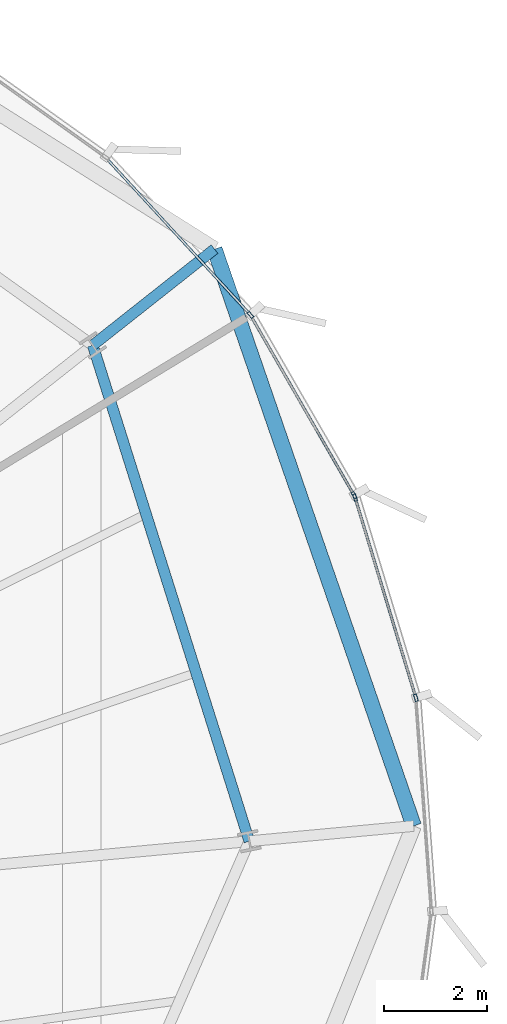
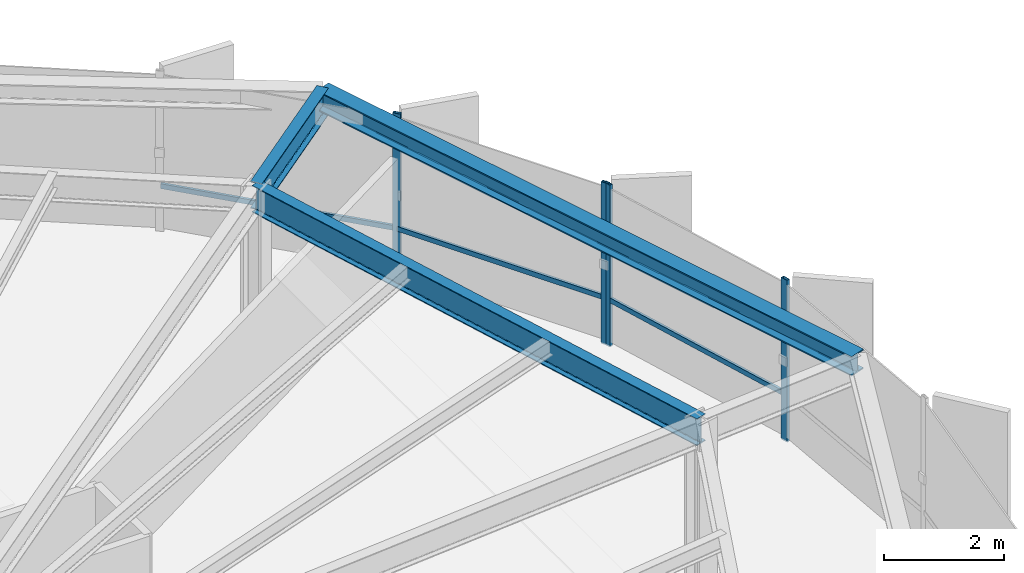
# One storey, part 24 of 34: 7 members, 3 beams, 2 elements without a shape of their own.
"""IFC4 building model written with IfcOpenShell, lengths in metres."""

from ifc_helpers import new_model, si_unit, direction, frame, origin, origin_2d, place, context, subcontext, project, spatial, hollow_rectangle, i_section, extrude, source, transform, mapped, material, layer, layer_set, material_profile, profile_set, type_object, element, aggregate, save


model = new_model("IFC4")

# Units and contexts
model_context = context("Model", 3, precision=1e-05, world=origin(), true_north=direction((0.0, 1.0)))
body_context = subcontext(model_context, "Body", "Model", "MODEL_VIEW")
ifc_project = project(units=[si_unit("LENGTHUNIT", "METRE"), si_unit("AREAUNIT", "SQUARE_METRE"), si_unit("VOLUMEUNIT", "CUBIC_METRE"), si_unit("PLANEANGLEUNIT", "RADIAN"), si_unit("MASSUNIT", "GRAM", prefix="KILO"), si_unit("THERMODYNAMICTEMPERATUREUNIT", "KELVIN")], contexts=[model_context])

# Site, building, storey
site_placement = place(None, origin())
site = spatial("IfcSite", under=ifc_project, at=site_placement, CompositionType="ELEMENT")
building_placement = place(site_placement, origin())
building = spatial("IfcBuilding", under=site, at=building_placement, Name="Kethvar Cultural Tower", CompositionType="ELEMENT")
storey_placement = place(building_placement, frame((0.0, 0.0, 128.800048828125)))
storey = spatial("IfcBuildingStorey", under=building, at=storey_placement, Name="L32", CompositionType="ELEMENT", Elevation=128.800048828125)

# Beams
ifc_material_1 = material(Name="Steel S355J2", Category="steel")
ifc_material_profile_1 = material_profile(ifc_material_1, i_section(OverallWidth=0.2099609375, OverallDepth=0.550048828125, WebThickness=0.010986328125, FlangeThickness=0.01708984375, FilletRadius=0.02392578125, at=origin_2d()), Name="Steel S355J2 — IPE550")
ifc_profile_set_1 = profile_set([ifc_material_profile_1], Name="Steel S355J2 — IPE550")
beam_type_1 = type_object("IfcBeamType", Name="BM-IPE550", PredefinedType="BEAM", material=ifc_profile_set_1)
shared_shape_1 = source(origin(), body_context, "Body", "SweptSolid", [
    extrude(i_section(OverallWidth=0.2099609375, OverallDepth=0.550048828125, WebThickness=0.010986328125, FlangeThickness=0.01708984375, FilletRadius=0.02392578125, at=origin_2d()), origin(), (0.0, 0.0, 1.0), 10.079345703125),
])
beam_1_placement = place(storey_placement, frame((71.6025390625, 32.7333984375, 3.02294921875), z_axis=(-0.301007326566, 0.953621827222, 0.0), x_axis=(-0.953621827222, -0.301007326566, 0.0)))
element("IfcBeam", 1, at=beam_1_placement, inside=storey, type_object=beam_type_1, Name="L32 Column Ring Tie Beam CR-01", PredefinedType="BEAM", context=body_context, shape_type="MappedRepresentation", body=[
    mapped(shared_shape_1, transform((0.0, 0.0, 0.0), scale=1.0)),
])
shared_shape_2 = source(origin(), body_context, "Body", "SweptSolid", [
    extrude(i_section(OverallWidth=0.2099609375, OverallDepth=0.550048828125, WebThickness=0.010986328125, FlangeThickness=0.01708984375, FilletRadius=0.02392578125, at=origin_2d()), origin(), (0.0, 0.0, 1.0), 3.007080078125),
])
beam_2_placement = place(storey_placement, frame((68.568603515625, 42.34521484375, 3.02294921875), z_axis=(0.784656197712, 0.619931166656, 0.0), x_axis=(-0.619931166656, 0.784656197712, 0.0)))
element("IfcBeam", 2, at=beam_2_placement, inside=storey, type_object=beam_type_1, Name="L32 Perimeter Cantilever Beam RC-02", PredefinedType="BEAM", context=body_context, shape_type="MappedRepresentation", body=[
    mapped(shared_shape_2, transform((0.0, 0.0, 0.0), scale=1.0)),
])
ifc_material_profile_2 = material_profile(ifc_material_1, i_section(OverallWidth=0.300048828125, OverallDepth=0.39990234375, WebThickness=0.013427734375, FlangeThickness=0.02392578125, FilletRadius=0.027099609375, at=origin_2d()), Name="Steel S355J2 — HEB400")
ifc_profile_set_2 = profile_set([ifc_material_profile_2], Name="Steel S355J2 — HEB400")
beam_type_2 = type_object("IfcBeamType", Name="BM-SP400", PredefinedType="SPANDREL", material=ifc_profile_set_2)
shared_shape_3 = source(origin(), body_context, "Body", "SweptSolid", [
    extrude(i_section(OverallWidth=0.300048828125, OverallDepth=0.39990234375, WebThickness=0.013427734375, FlangeThickness=0.02392578125, FilletRadius=0.027099609375, at=origin_2d()), origin(), (0.0, 0.0, 1.0), 11.828369140625),
])
beam_3_placement = place(storey_placement, frame((74.788818359375, 33.02880859375, 3.097900390625), z_axis=(-0.326383125679, 0.945237565521, 0.0), x_axis=(-0.945237565521, -0.326383125679, 0.0)))
element("IfcBeam", 3, at=beam_3_placement, inside=storey, type_object=beam_type_2, Name="L32 Perimeter Spandrel Beam SP-01", PredefinedType="SPANDREL", context=body_context, shape_type="MappedRepresentation", body=[
    mapped(shared_shape_3, transform((0.0, 0.0, 0.0), scale=1.0)),
])

# Curtain wall, members
ifc_material_2 = material(Name="Aluminium 6063-T6", Category="aluminium")
ifc_layer = layer(ifc_material_2, 0.179931640625, Name="Aluminium 6063-T6", Category="aluminium")
ifc_layer_set = layer_set([ifc_layer], Name="Aluminium 6063-T6 (180 mm)")
curtain_wall_type = type_object("IfcCurtainWallType", Name="CW-SYS-04-Z34", PredefinedType="NOTDEFINED", material=ifc_layer_set)
curtain_wall_1_placement = place(storey_placement, origin())
curtain_wall_1 = element("IfcCurtainWall", 4, at=curtain_wall_1_placement, inside=storey, type_object=curtain_wall_type, Name="L32 Curtain Wall Run 01", PredefinedType="NOTDEFINED")
ifc_material_profile_3 = material_profile(ifc_material_2, hollow_rectangle(XDim=0.06005859375, YDim=0.139892578125, WallThickness=0.0048828125, at=origin_2d()), Name="Aluminium 6063-T6 — RHS140x60x5")
ifc_profile_set_3 = profile_set([ifc_material_profile_3], Name="Aluminium 6063-T6 — RHS140x60x5")
member_type_1 = type_object("IfcMemberType", Name="CW-SYS-04-Z34-MUL", PredefinedType="MULLION", material=ifc_profile_set_3)
shared_shape_4 = source(origin(), body_context, "Body", "SweptSolid", [
    extrude(hollow_rectangle(XDim=0.06005859375, YDim=0.139892578125, WallThickness=0.0048828125, at=origin_2d()), origin(), (0.0, 0.0, 1.0), 3.300048828125),
])
member_1_placement = place(storey_placement, frame((73.632080078125, 39.43994140625, 0.0), z_axis=(0.0, 0.0, 1.0), x_axis=(-0.86681843597, -0.498623905426, 0.0)))
member_1 = element("IfcMember", 5, at=member_1_placement, type_object=member_type_1, Name="CW-L32-R01 Mullion 1", PredefinedType="MULLION", context=body_context, shape_type="MappedRepresentation", body=[
    mapped(shared_shape_4, transform((0.0, 0.0, 0.0), scale=1.0)),
])
member_2_placement = place(storey_placement, frame((71.62548828125, 42.93359375, 0.0), z_axis=(0.0, 0.0, 1.0), x_axis=(-0.735955306405, -0.677030122649, 0.0)))
member_2 = element("IfcMember", 6, at=member_2_placement, type_object=member_type_1, Name="CW-L32-R01 Mullion 2", PredefinedType="MULLION", context=body_context, shape_type="MappedRepresentation", body=[
    mapped(shared_shape_4, transform((0.0, 0.0, 0.0), scale=1.0)),
])

curtain_wall_2_placement = place(storey_placement, origin())
curtain_wall_2 = element("IfcCurtainWall", 7, at=curtain_wall_2_placement, inside=storey, type_object=curtain_wall_type, Name="L32 Curtain Wall Run 06", PredefinedType="NOTDEFINED")
member_3_placement = place(storey_placement, frame((74.830810546875, 35.51318359375, 0.0), z_axis=(0.0, 0.0, 1.0), x_axis=(-0.956859235647, -0.290551894086, 0.0)))
member_3 = element("IfcMember", 8, at=member_3_placement, type_object=member_type_1, Name="CW-L32-R06 Mullion 6", PredefinedType="MULLION", context=body_context, shape_type="MappedRepresentation", body=[
    mapped(shared_shape_4, transform((0.0, 0.0, 0.0), scale=1.0)),
])
member_4_placement = place(storey_placement, frame((73.653076171875, 39.3916015625, 0.0), z_axis=(0.0, 0.0, 1.0), x_axis=(-0.956859235647, -0.290551894086, 0.0)))
member_4 = element("IfcMember", 9, at=member_4_placement, type_object=member_type_1, Name="CW-L32-R06 Mullion 7", PredefinedType="MULLION", context=body_context, shape_type="MappedRepresentation", body=[
    mapped(shared_shape_4, transform((0.0, 0.0, 0.0), scale=1.0)),
])

# Member
ifc_material_profile_4 = material_profile(ifc_material_2, hollow_rectangle(XDim=0.050048828125, YDim=0.10009765625, WallThickness=0.00390625, at=origin_2d()), Name="Aluminium 6063-T6 — RHS100x50x4")
ifc_profile_set_4 = profile_set([ifc_material_profile_4], Name="Aluminium 6063-T6 — RHS100x50x4")
member_type_2 = type_object("IfcMemberType", Name="CW-SYS-04-Z34-TRN", PredefinedType="USERDEFINED", material=ifc_profile_set_4)
shared_shape_5 = source(origin(), body_context, "Body", "SweptSolid", [
    extrude(hollow_rectangle(XDim=0.050048828125, YDim=0.10009765625, WallThickness=0.00390625, at=origin_2d()), origin(), (0.0, 0.0, 1.0), 4.005859375),
])
member_5_placement = place(storey_placement, frame((73.630126953125, 39.443603515625, 0.949951171875), z_axis=(-0.498598220683, 0.866833210215, 0.0), x_axis=(-0.866833210215, -0.498598220683, 0.0)))
member_5 = element("IfcMember", 10, at=member_5_placement, type_object=member_type_2, Name="CW-L32-R01 Transom 1", ObjectType="TRANSOM", PredefinedType="USERDEFINED", context=body_context, shape_type="MappedRepresentation", body=[
    mapped(shared_shape_5, transform((0.0, 0.0, 0.0), scale=1.0)),
])

member_6_placement = place(storey_placement, frame((74.818115234375, 35.5546875, 0.949951171875), z_axis=(-0.290533421328, 0.956864844736, 0.0), x_axis=(-0.956864844736, -0.290533421328, 0.0)))
member_6 = element("IfcMember", 11, at=member_6_placement, type_object=member_type_2, Name="CW-L32-R06 Transom 6", ObjectType="TRANSOM", PredefinedType="USERDEFINED", context=body_context, shape_type="MappedRepresentation", body=[
    mapped(shared_shape_5, transform((0.0, 0.0, 0.0), scale=1.0)),
])

aggregate(curtain_wall_2, [member_3, member_4, member_6])

shared_shape_6 = source(origin(), body_context, "Body", "SweptSolid", [
    extrude(hollow_rectangle(XDim=0.050048828125, YDim=0.10009765625, WallThickness=0.00390625, at=origin_2d()), origin(), (0.0, 0.0, 1.0), 4.088134765625),
])
member_7_placement = place(storey_placement, frame((71.59619140625, 42.965576171875, 0.949951171875), z_axis=(-0.677021599756, 0.735963146811, 0.0), x_axis=(-0.735963146811, -0.677021599756, 0.0)))
member_7 = element("IfcMember", 12, at=member_7_placement, type_object=member_type_2, Name="CW-L32-R01 Transom 2", ObjectType="TRANSOM", PredefinedType="USERDEFINED", context=body_context, shape_type="MappedRepresentation", body=[
    mapped(shared_shape_6, transform((0.0, 0.0, 0.0), scale=1.0)),
])

aggregate(curtain_wall_1, [member_1, member_2, member_5, member_7])

save(model, "model.ifc")
